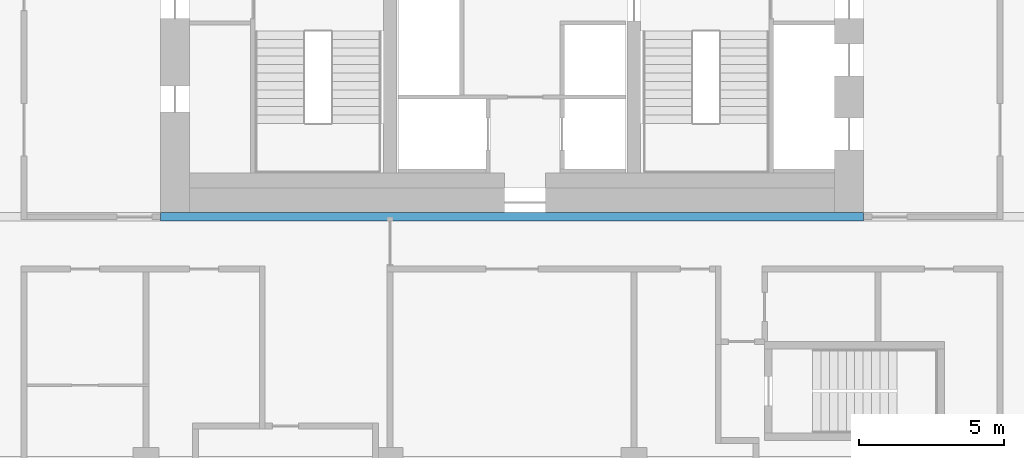
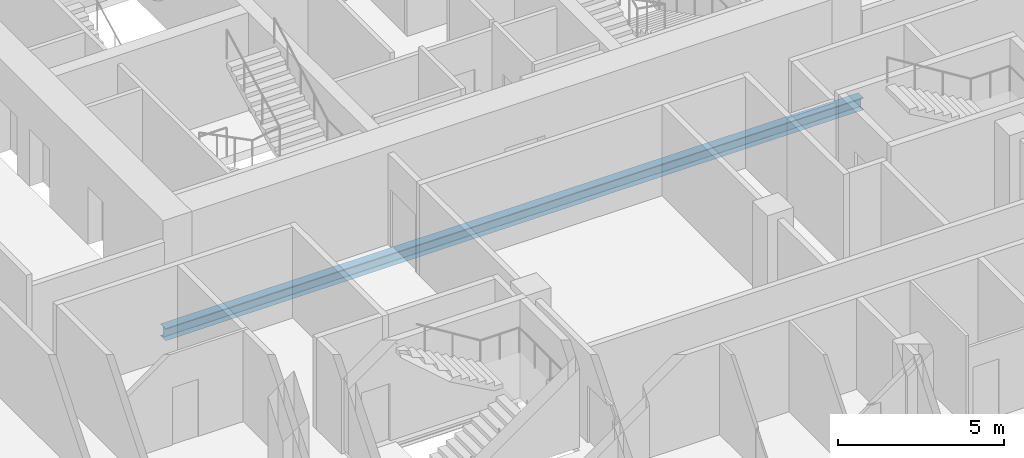
# One storey, part 5 of 21: 1 beam.
"""IFC4 building model written with IfcOpenShell, lengths in metres."""

from ifc_helpers import new_model, si_unit, direction, frame, origin, origin_2d, place, context, subcontext, project, spatial, i_section, extrude, material, material_profile, profile_set, type_object, element, save


model = new_model("IFC4")

# Units and contexts
model_context = context("Model", 3, precision=1e-05, world=origin(), true_north=direction((0.0, 1.0)))
body_context = subcontext(model_context, "Body", "Model", "MODEL_VIEW")
ifc_project = project(units=[si_unit("LENGTHUNIT", "METRE"), si_unit("AREAUNIT", "SQUARE_METRE"), si_unit("VOLUMEUNIT", "CUBIC_METRE"), si_unit("PLANEANGLEUNIT", "RADIAN"), si_unit("MASSUNIT", "GRAM", prefix="KILO")], contexts=[model_context])

# Site, building, storey
site_placement = place(None, origin())
site = spatial("IfcSite", under=ifc_project, at=site_placement, CompositionType="ELEMENT")
building_placement = place(site_placement, origin())
building = spatial("IfcBuilding", under=site, at=building_placement, Name="Marenta Gate Hotel Tower", CompositionType="ELEMENT")
storey_placement = place(building_placement, frame((0.0, 0.0, 133.699951171875)))
storey = spatial("IfcBuildingStorey", under=building, at=storey_placement, Name="L30", CompositionType="ELEMENT", Elevation=133.699951171875)

# Beam
ifc_material = material(Name="Steel S355", Category="steel")
ifc_material_profile = material_profile(ifc_material, i_section(OverallWidth=0.300048828125, OverallDepth=0.449951171875, WebThickness=0.013916015625, FlangeThickness=0.02587890625, FilletRadius=0.027099609375, at=origin_2d()), Name="HEB 450")
ifc_profile_set = profile_set([ifc_material_profile], Name="Steel S355")
beam_type = type_object("IfcBeamType", Name="Girder HEB 450", PredefinedType="BEAM", material=ifc_profile_set)
beam_placement = place(storey_placement, frame((-12.10009765625, 0.0, -0.48486328125), z_axis=(1.0, 0.0, 0.0), x_axis=(0.0, 1.0, 0.0)))
element("IfcBeam", 1, at=beam_placement, inside=storey, type_object=beam_type, Name="L30-GD-17", PredefinedType="BEAM", context=body_context, shape_type="SweptSolid", body=[
    extrude(i_section(OverallWidth=0.300048828125, OverallDepth=0.449951171875, WebThickness=0.013916015625, FlangeThickness=0.02587890625, FilletRadius=0.027099609375, at=origin_2d()), origin(), (0.0, 0.0, 1.0), 24.2001953125),
])

save(model, "model.ifc")
